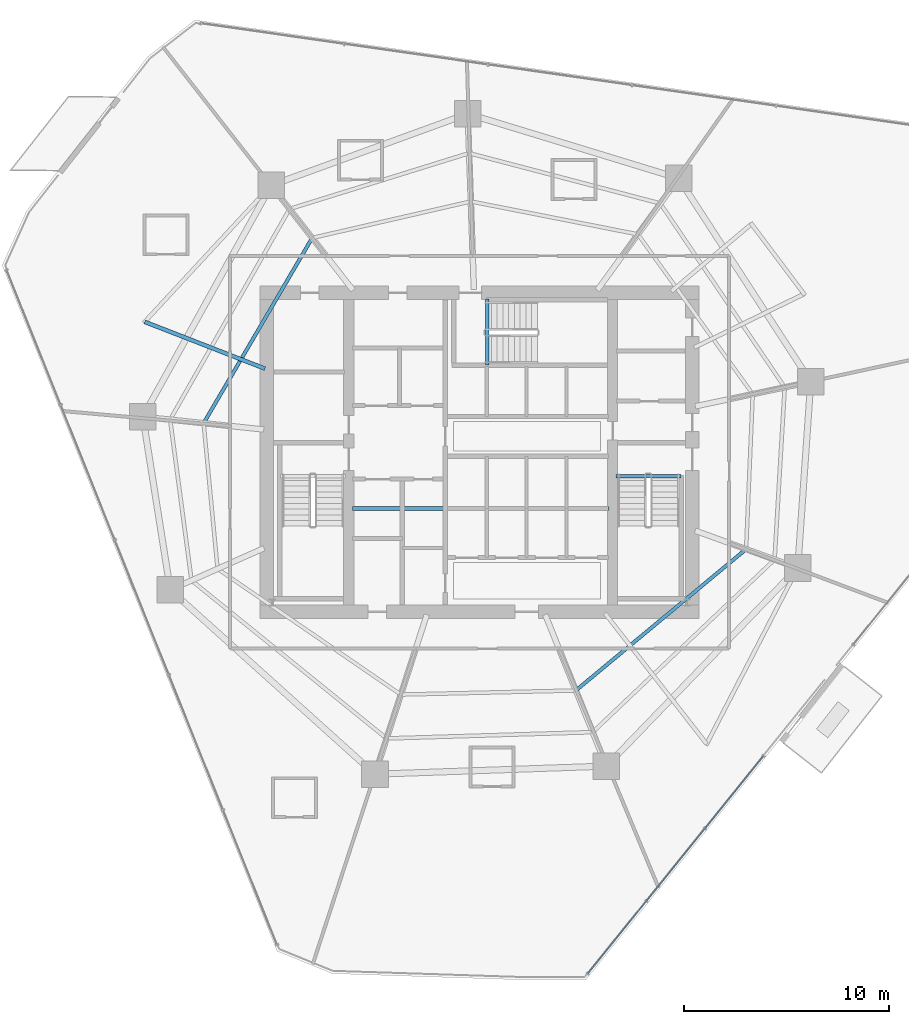
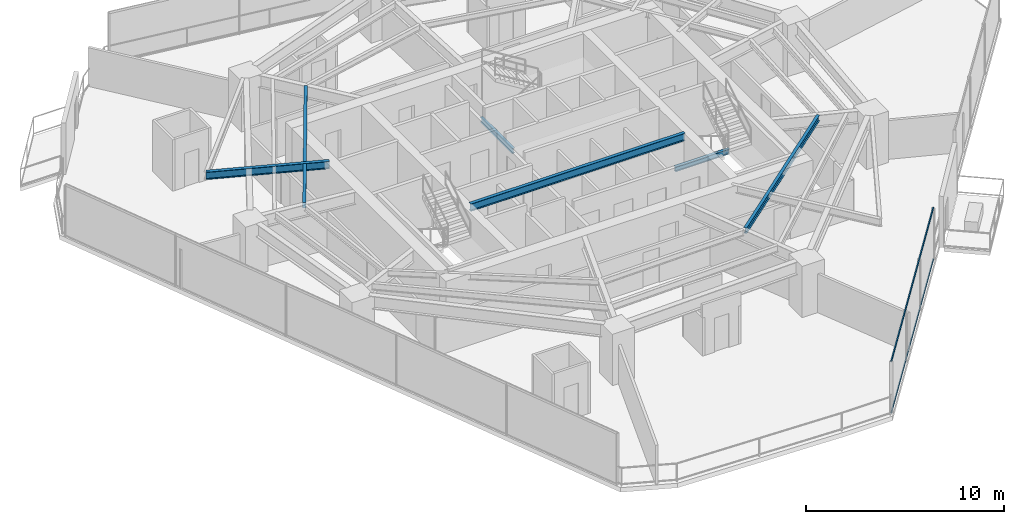
# One storey, part 10 of 32: 6 beams, 2 members, 1 element without a shape of its own.
"""IFC4 building model written with IfcOpenShell, lengths in metres."""

import ifcopenshell
import ifcopenshell.guid

model = None  # the IFC model being written
_history = None  # IfcOwnerHistory: only IFC2X3 demands one
_inside = {}  # id of a spatial element -> (the spatial element, [elements in it])
_under = {}  # id of a project, library or spatial element -> (it, [spatial elements below it])
_declared = {}  # id of a project -> (the project, [libraries it declares])
_typed = {}  # id of a type object -> (the type object, [elements of that type])
_made_of = {}  # id of a material, layer set ... -> (it, [elements and type objects made of it])


def new_model(schema):
    """Start an empty IFC model of exactly this schema.

    Asked for "IFC4X3", IfcOpenShell would pick the latest addendum, in which some entities
    have other attributes; the version numbers below select the first issue.
    IFC2X3 requires an IfcOwnerHistory on every rooted entity: one is made here for all.
    """
    global model, _history
    if schema == "IFC4X3":
        model = ifcopenshell.file(schema_version=(4, 3, 0, 0))
    else:
        model = ifcopenshell.file(schema=schema)
    _inside.clear()
    _under.clear()
    _declared.clear()
    _typed.clear()
    _made_of.clear()
    _history = None
    if model.schema == "IFC2X3":
        org = make("IfcOrganization", Name="unknown")
        user = make(
            "IfcPersonAndOrganization",
            ThePerson=make("IfcPerson", FamilyName="unknown"),
            TheOrganization=org,
        )
        app = make(
            "IfcApplication",
            ApplicationDeveloper=org,
            Version="unknown",
            ApplicationFullName="unknown",
            ApplicationIdentifier="unknown",
        )
        _history = make(
            "IfcOwnerHistory",
            OwningUser=user,
            OwningApplication=app,
            ChangeAction="ADDED",
            CreationDate=0,
        )
    return model


def make(cls, **values):
    """One entity of the class cls with the attributes given. An attribute that is None is left unset."""
    return model.create_entity(
        cls, **{name: value for name, value in values.items() if value is not None}
    )


def rooted(cls, **values):
    """An entity with a GlobalId (a new one), such as an element, a storey or a relation."""
    return make(cls, GlobalId=ifcopenshell.guid.new(), OwnerHistory=_history, **values)


def si_unit(unit_type, name, prefix=None):
    """IfcSIUnit, for example si_unit("LENGTHUNIT", "METRE", prefix="MILLI")."""
    return make("IfcSIUnit", UnitType=unit_type, Prefix=prefix, Name=name)


def assignment(units):
    """IfcUnitAssignment: the units of a project."""
    return None if units is None else make("IfcUnitAssignment", Units=units)


def point(xyz):
    """IfcCartesianPoint."""
    return None if xyz is None else make("IfcCartesianPoint", Coordinates=xyz)


def direction(xyz):
    """IfcDirection."""
    return None if xyz is None else make("IfcDirection", DirectionRatios=xyz)


def frame(location, z_axis=None, x_axis=None):
    """IfcAxis2Placement3D, a coordinate frame: its origin and axes. An axis left out is left unset."""
    return make(
        "IfcAxis2Placement3D",
        Location=point(location),
        Axis=direction(z_axis),
        RefDirection=direction(x_axis),
    )


def frame_2d(location, x_axis=None):
    """IfcAxis2Placement2D, a coordinate frame in the plane: its origin and x axis."""
    return make(
        "IfcAxis2Placement2D", Location=point(location), RefDirection=direction(x_axis)
    )


def origin():
    """The frame at (0, 0, 0) with its axes left unset."""
    return frame((0.0, 0.0, 0.0))


def origin_2d():
    """The frame at (0, 0) in the plane with its x axis left unset."""
    return frame_2d((0.0, 0.0))


def place(relative_to, where):
    """IfcLocalPlacement: puts the frame where relative to a parent placement (None: the world)."""
    return make(
        "IfcLocalPlacement", PlacementRelTo=relative_to, RelativePlacement=where
    )


def context(
    kind, dimensions, precision=None, world=None, true_north=None, identifier=None
):
    """IfcGeometricRepresentationContext, for example the 3D "Model" context."""
    return make(
        "IfcGeometricRepresentationContext",
        ContextIdentifier=identifier,
        ContextType=kind,
        CoordinateSpaceDimension=dimensions,
        Precision=precision,
        WorldCoordinateSystem=world,
        TrueNorth=true_north,
    )


def subcontext(parent, identifier, kind, view, scale=None):
    """IfcGeometricRepresentationSubContext, for example "Body" below "Model"."""
    return make(
        "IfcGeometricRepresentationSubContext",
        ContextIdentifier=identifier,
        ContextType=kind,
        ParentContext=parent,
        TargetScale=scale,
        TargetView=view,
    )


def project(units=None, contexts=None):
    """IfcProject with its units and contexts."""
    return rooted(
        "IfcProject",
        Name="project",
        RepresentationContexts=contexts,
        UnitsInContext=assignment(units),
    )


def spatial(cls, under=None, at=None, **own):
    """A site, building, storey or space (cls), placed at a placement, below another one or the project."""
    s = rooted(cls, ObjectPlacement=at, **own)
    if under is not None:
        _under.setdefault(under.id(), (under, []))[1].append(s)
    return s


def profile(cls, at=None, kind="AREA", **sizes):
    """A parametric profile (cls). Its sizes go by their IFC names, for example OverallWidth=200.0."""
    return make(cls, ProfileType=kind, Position=at, **sizes)


def hollow_rectangle(**sizes):
    """IfcRectangleHollowProfileDef."""
    return profile("IfcRectangleHollowProfileDef", **sizes)


def i_section(**sizes):
    """IfcIShapeProfileDef."""
    return profile("IfcIShapeProfileDef", **sizes)


def extrude(swept, where, along, depth):
    """IfcExtrudedAreaSolid: the profile swept, set in the frame where, extruded along a direction by depth."""
    return make(
        "IfcExtrudedAreaSolid",
        SweptArea=swept,
        Position=where,
        ExtrudedDirection=direction(along),
        Depth=depth,
    )


def shape(context_of_items, identifier, shape_type, items):
    """IfcShapeRepresentation: the items that make up one representation, for example the "Body"."""
    return make(
        "IfcShapeRepresentation",
        ContextOfItems=context_of_items,
        RepresentationIdentifier=identifier,
        RepresentationType=shape_type,
        Items=items,
    )


def material(Name=None, Category=None):
    """IfcMaterial."""
    return make("IfcMaterial", Name=Name, Category=Category)


def layer(
    of_material, thickness, ventilated=None, Name=None, Category=None, Priority=None
):
    """IfcMaterialLayer: one layer of a wall or slab, of a material (None: an air gap)."""
    return make(
        "IfcMaterialLayer",
        Material=of_material,
        LayerThickness=thickness,
        IsVentilated=ventilated,
        Name=Name,
        Category=Category,
        Priority=Priority,
    )


def layer_set(layers, Name=None):
    """IfcMaterialLayerSet."""
    return make("IfcMaterialLayerSet", MaterialLayers=layers, LayerSetName=Name)


def material_profile(
    of_material, cross_section, Name=None, Category=None, Priority=None
):
    """IfcMaterialProfile: a cross section and its material."""
    return make(
        "IfcMaterialProfile",
        Name=Name,
        Material=of_material,
        Profile=cross_section,
        Priority=Priority,
        Category=Category,
    )


def profile_set(profiles, Name=None, composite=None):
    """IfcMaterialProfileSet."""
    return make(
        "IfcMaterialProfileSet",
        Name=Name,
        MaterialProfiles=profiles,
        CompositeProfile=composite,
    )


def made_of(thing, what):
    """Note that an element or type object is made of a material, layer set ...; save() writes the relation."""
    if what is not None:
        _made_of.setdefault(what.id(), (what, []))[1].append(thing)
    return thing


def type_object(cls, material=None, **own):
    """A type object (cls), such as IfcWallType, which elements share."""
    return made_of(rooted(cls, **own), material)


def element(
    cls,
    number,
    at=None,
    inside=None,
    cuts=None,
    type_object=None,
    material=None,
    context=None,
    identifier="Body",
    shape_type=None,
    held_by="IfcProductDefinitionShape",
    body=None,
    shapes=None,
    **own,
):
    """One element of the class cls, such as IfcWall. Its Tag is "e" and its number.

    at: its placement. inside: the storey or other place that contains it. cuts: it is an
    opening in that element (IfcRelVoidsElement). A single representation is given by context,
    identifier, shape_type and body (its items); several are given by shapes. held_by: the class
    of the entity that holds the representations. save() writes the other relations.
    """
    e = rooted(cls, Tag="e%d" % number, ObjectPlacement=at, **own)
    if body is not None:
        shapes = [shape(context, identifier, shape_type, body)]
    if shapes is not None:
        e.Representation = make(held_by, Representations=shapes)
    if inside is not None:
        _inside.setdefault(inside.id(), (inside, []))[1].append(e)
    if cuts is not None:
        rooted(
            "IfcRelVoidsElement", RelatingBuildingElement=cuts, RelatedOpeningElement=e
        )
    if type_object is not None:
        _typed.setdefault(type_object.id(), (type_object, []))[1].append(e)
    return made_of(e, material)


def aggregate(whole, parts):
    """IfcRelAggregates: a whole, such as a stair, and the parts it consists of."""
    return rooted("IfcRelAggregates", RelatingObject=whole, RelatedObjects=parts)


def save(model, path):
    """Write the relations noted so far, then the file.

    IfcRelAggregates (storeys below a building ...), IfcRelContainedInSpatialStructure (elements
    in a storey), IfcRelDefinesByType, IfcRelAssociatesMaterial and IfcRelDeclares: one each for
    every whole, place, type object, material and project.
    """
    for whole, parts in _under.values():
        aggregate(whole, parts)
    for where, things in _inside.values():
        rooted(
            "IfcRelContainedInSpatialStructure",
            RelatedElements=things,
            RelatingStructure=where,
        )
    for kind, things in _typed.values():
        rooted("IfcRelDefinesByType", RelatedObjects=things, RelatingType=kind)
    for what, things in _made_of.values():
        rooted("IfcRelAssociatesMaterial", RelatedObjects=things, RelatingMaterial=what)
    for by, libraries in _declared.values():
        rooted("IfcRelDeclares", RelatingContext=by, RelatedDefinitions=libraries)
    model.write(path)


model = new_model("IFC4")

# Units and contexts
model_context = context("Model", 3, precision=1e-05, world=origin(), true_north=direction((0.0, 1.0)))
body_context = subcontext(model_context, "Body", "Model", "MODEL_VIEW")
ifc_project = project(units=[si_unit("LENGTHUNIT", "METRE"), si_unit("AREAUNIT", "SQUARE_METRE"), si_unit("VOLUMEUNIT", "CUBIC_METRE"), si_unit("PLANEANGLEUNIT", "RADIAN"), si_unit("MASSUNIT", "GRAM", prefix="KILO")], contexts=[model_context])

# Site, building, storey
site_placement = place(None, origin())
site = spatial("IfcSite", under=ifc_project, at=site_placement, CompositionType="ELEMENT")
building_placement = place(site_placement, origin())
building = spatial("IfcBuilding", under=site, at=building_placement, Name="Qarnah Convention Tower", CompositionType="ELEMENT")
storey_placement = place(building_placement, frame((0.0, 0.0, 37.35009765625)))
storey = spatial("IfcBuildingStorey", under=building, at=storey_placement, Name="L08", CompositionType="ELEMENT", Elevation=37.35009765625)

# Beams
ifc_material_1 = material(Name="Structural steel S355JR", Category="steel")
ifc_material_profile_1 = material_profile(ifc_material_1, i_section(OverallWidth=0.19189453125, OverallDepth=0.464111328125, WebThickness=0.010986328125, FlangeThickness=0.01806640625, at=origin_2d()), Name="W460X89")
ifc_profile_set_1 = profile_set([ifc_material_profile_1], Name="Structural steel S355JR")
beam_type_1 = type_object("IfcBeamType", Name="BM-CANT-W460A", PredefinedType="BEAM", material=ifc_profile_set_1)
beam_1_placement = place(storey_placement, frame((30.97998046875, 23.64990234375, 2.93798828125), z_axis=(1.0, 0.0, 0.0), x_axis=(0.0, 1.0, 0.0)))
element("IfcBeam", 1, at=beam_1_placement, inside=storey, type_object=beam_type_1, Name="L08 beam BM-L08-KC1", PredefinedType="BEAM", context=body_context, shape_type="SweptSolid", body=[
    extrude(i_section(OverallWidth=0.19189453125, OverallDepth=0.464111328125, WebThickness=0.010986328125, FlangeThickness=0.01806640625, at=origin_2d()), origin(), (0.0, 0.0, 1.0), 12.5400390625),
])
beam_2_placement = place(storey_placement, frame((26.70703125, 30.48388671875, 2.93798828125), z_axis=(-0.931897088326, 0.36272278226, 0.0), x_axis=(-0.36272278226, -0.931897088326, 0.0)))
element("IfcBeam", 2, at=beam_2_placement, inside=storey, type_object=beam_type_1, Name="L08 beam BM-L08-CNT-02-2", PredefinedType="BEAM", context=body_context, shape_type="SweptSolid", body=[
    extrude(i_section(OverallWidth=0.19189453125, OverallDepth=0.464111328125, WebThickness=0.010986328125, FlangeThickness=0.01806640625, at=origin_2d()), origin(), (0.0, 0.0, 1.0), 6.305419921875),
])
ifc_material_profile_2 = material_profile(ifc_material_1, i_section(OverallWidth=0.166015625, OverallDepth=0.31201171875, WebThickness=0.007080078125, FlangeThickness=0.010986328125, at=origin_2d()), Name="W310X45")
ifc_profile_set_2 = profile_set([ifc_material_profile_2], Name="Structural steel S355JR")
beam_type_2 = type_object("IfcBeamType", Name="BM-JST-W310", PredefinedType="JOIST", material=ifc_profile_set_2)
beam_3_placement = place(storey_placement, frame((43.860107421875, 25.217041015625, -0.156005859375), z_axis=(1.0, 0.0, 0.0), x_axis=(0.0, 1.0, 0.0)))
element("IfcBeam", 3, at=beam_3_placement, inside=storey, type_object=beam_type_2, Name="L08 stair landing trimmer beam BM-L08-ST2-TRM", PredefinedType="BEAM", context=body_context, shape_type="SweptSolid", body=[
    extrude(i_section(OverallWidth=0.166015625, OverallDepth=0.31201171875, WebThickness=0.007080078125, FlangeThickness=0.010986328125, at=origin_2d()), origin(), (0.0, 0.0, 1.0), 3.179931640625),
])
beam_4_placement = place(storey_placement, frame((37.5830078125, 30.659912109375, -0.156005859375), z_axis=(0.0, 1.0, 0.0), x_axis=(-1.0, 0.0, 0.0)))
element("IfcBeam", 4, at=beam_4_placement, inside=storey, type_object=beam_type_2, Name="L08 stair landing trimmer beam BM-L08-ST3-TRM", PredefinedType="BEAM", context=body_context, shape_type="SweptSolid", body=[
    extrude(i_section(OverallWidth=0.166015625, OverallDepth=0.31201171875, WebThickness=0.007080078125, FlangeThickness=0.010986328125, at=origin_2d()), origin(), (0.0, 0.0, 1.0), 3.239990234375),
])
ifc_material_profile_3 = material_profile(ifc_material_1, i_section(OverallWidth=0.172119140625, OverallDepth=0.35595703125, WebThickness=0.007080078125, FlangeThickness=0.011962890625, at=origin_2d()), Name="W360X51")
ifc_profile_set_3 = profile_set([ifc_material_profile_3], Name="Structural steel S355JR")
beam_type_3 = type_object("IfcBeamType", Name="BM-JST-W360", PredefinedType="JOIST", material=ifc_profile_set_3)
beam_5_placement = place(storey_placement, frame((28.971923828125, 36.794921875, 2.991943359375), z_axis=(-0.505662399999, -0.862731439804, 0.0), x_axis=(0.862731439804, -0.505662399999, 0.0)))
element("IfcBeam", 5, at=beam_5_placement, inside=storey, type_object=beam_type_3, Name="L08 joist BM-L08-IJST-04", PredefinedType="JOIST", context=body_context, shape_type="SweptSolid", body=[
    extrude(i_section(OverallWidth=0.172119140625, OverallDepth=0.35595703125, WebThickness=0.007080078125, FlangeThickness=0.011962890625, at=origin_2d()), origin(), (0.0, 0.0, 1.0), 10.31494140625),
])
beam_6_placement = place(storey_placement, frame((41.97509765625, 14.80908203125, 2.991943359375), z_axis=(0.769463521511, 0.638690761687, 0.0), x_axis=(-0.638690761687, 0.769463521511, 0.0)))
element("IfcBeam", 6, at=beam_6_placement, inside=storey, type_object=beam_type_3, Name="L08 joist BM-L08-IJST-08", PredefinedType="JOIST", context=body_context, shape_type="SweptSolid", body=[
    extrude(i_section(OverallWidth=0.172119140625, OverallDepth=0.35595703125, WebThickness=0.007080078125, FlangeThickness=0.011962890625, at=origin_2d()), origin(), (0.0, 0.0, 1.0), 10.6357421875),
])

# Curtain wall, members
ifc_material_2 = material(Name="Tempered Low-E dark glass", Category="glass")
ifc_layer = layer(ifc_material_2, 0.16796875)
ifc_layer_set = layer_set([ifc_layer], Name="Tempered Low-E dark glass")
curtain_wall_type = type_object("IfcCurtainWallType", Name="CWS-01", PredefinedType="NOTDEFINED", material=ifc_layer_set)
curtain_wall_placement = place(storey_placement, origin())
curtain_wall = element("IfcCurtainWall", 7, at=curtain_wall_placement, inside=storey, type_object=curtain_wall_type, Name="L08 unitised curtain wall CW-L08-F4", PredefinedType="NOTDEFINED")
ifc_material_3 = material(Name="Black anodised aluminium", Category="aluminium")
ifc_material_profile_4 = material_profile(ifc_material_3, hollow_rectangle(XDim=0.06005859375, YDim=0.1298828125, WallThickness=0.00390625, at=origin_2d()), Name="TRN-60X130")
ifc_profile_set_4 = profile_set([ifc_material_profile_4], Name="Black anodised aluminium")
member_type = type_object("IfcMemberType", Name="TRN-T1", PredefinedType="USERDEFINED", material=ifc_profile_set_4)
member_1_placement = place(storey_placement, frame((51.0791015625, 11.553955078125, 0.0), z_axis=(-0.628121079143, -0.778115614762, 0.0), x_axis=(0.778115614762, -0.628121079143, 0.0)))
member_1 = element("IfcMember", 8, at=member_1_placement, type_object=member_type, Name="CW-L08-F4 transom 1", ObjectType="TRANSOM", PredefinedType="USERDEFINED", context=body_context, shape_type="SweptSolid", body=[
    extrude(hollow_rectangle(XDim=0.06005859375, YDim=0.1298828125, WallThickness=0.00390625, at=origin_2d()), origin(), (0.0, 0.0, 1.0), 13.680419921875),
])
member_2_placement = place(storey_placement, frame((51.0791015625, 11.553955078125, 3.169921875), z_axis=(-0.628121079143, -0.778115614762, 0.0), x_axis=(0.778115614762, -0.628121079143, 0.0)))
member_2 = element("IfcMember", 9, at=member_2_placement, type_object=member_type, Name="CW-L08-F4 transom 2", ObjectType="TRANSOM", PredefinedType="USERDEFINED", context=body_context, shape_type="SweptSolid", body=[
    extrude(hollow_rectangle(XDim=0.06005859375, YDim=0.1298828125, WallThickness=0.00390625, at=origin_2d()), origin(), (0.0, 0.0, 1.0), 13.680419921875),
])
aggregate(curtain_wall, [member_1, member_2])

save(model, "model.ifc")
